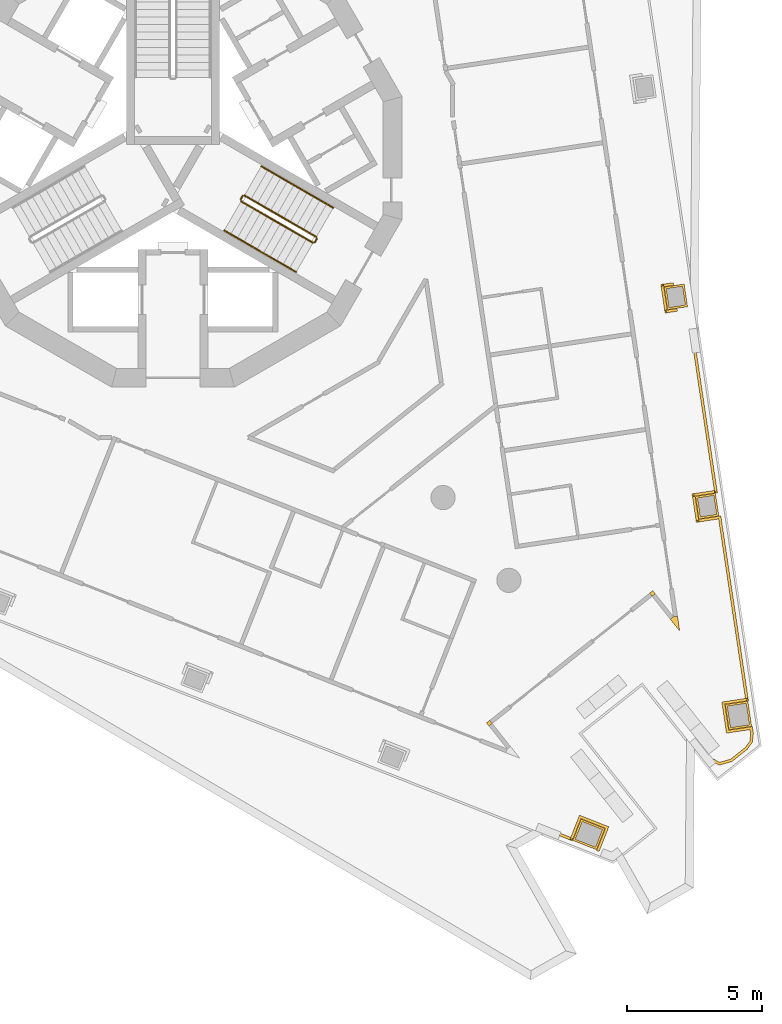
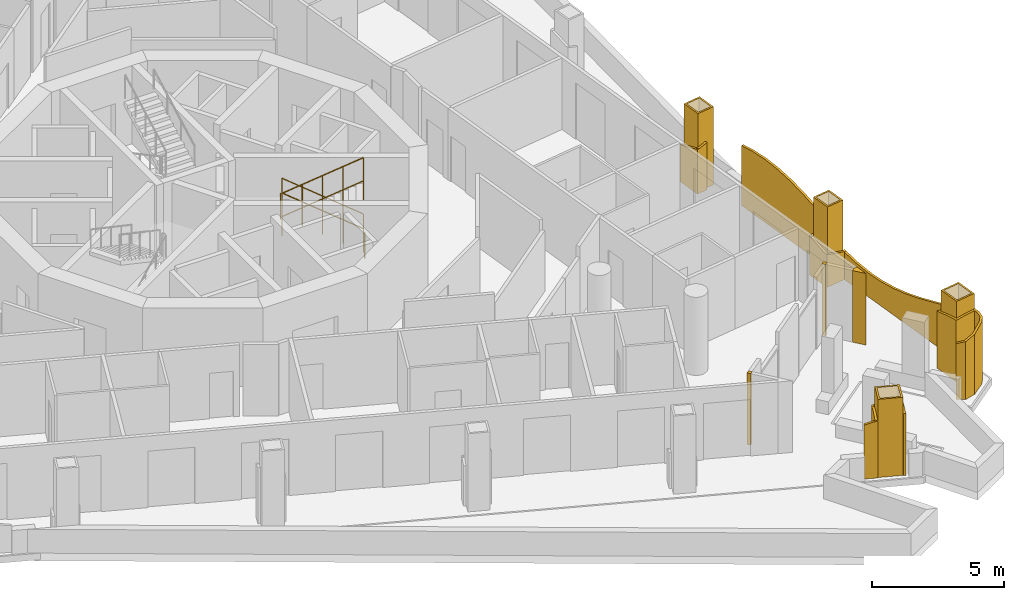
# One storey, part 13 of 16: 11 railings, 7 coverings.
"""IFC4 building model written with IfcOpenShell, lengths in metres."""

from ifc_helpers import new_model, si_unit, direction, frame, origin, origin_2d, place, context, subcontext, project, spatial, polyline, circle, outline, extrude, material, layer, layer_set, type_object, element, save


model = new_model("IFC4")

# Units and contexts
model_context = context("Model", 3, precision=1e-05, world=origin(), true_north=direction((0.0, 1.0)))
body_context = subcontext(model_context, "Body", "Model", "MODEL_VIEW")
ifc_project = project(units=[si_unit("LENGTHUNIT", "METRE"), si_unit("AREAUNIT", "SQUARE_METRE"), si_unit("VOLUMEUNIT", "CUBIC_METRE"), si_unit("PLANEANGLEUNIT", "RADIAN"), si_unit("MASSUNIT", "GRAM", prefix="KILO")], contexts=[model_context])

# Site, building, storey
site_placement = place(None, origin())
site = spatial("IfcSite", under=ifc_project, at=site_placement, CompositionType="ELEMENT")
building_placement = place(site_placement, origin())
building = spatial("IfcBuilding", under=site, at=building_placement, Name="Trine Commons Tower", CompositionType="ELEMENT")
storey_placement = place(building_placement, frame((0.0, 0.0, 198.0)))
storey = spatial("IfcBuildingStorey", under=building, at=storey_placement, Name="L51", CompositionType="ELEMENT", Elevation=198.0)

# Coverings
ifc_material_1 = material(Name="Aluminium-framed insulated wall panel", Category="aluminium")
ifc_layer_1 = layer(ifc_material_1, 0.14990234375)
ifc_layer_set_1 = layer_set([ifc_layer_1], Name="Aluminium-framed insulated wall panel")
covering_type_1 = type_object("IfcCoveringType", Name="Glazing corner post, aluminium", PredefinedType="CLADDING", material=ifc_layer_set_1)
covering_1_placement = place(storey_placement, origin())
element("IfcCovering", 1, at=covering_1_placement, inside=storey, type_object=covering_type_1, Name="Glazing corner post 6-06", PredefinedType="CLADDING", context=body_context, shape_type="SweptSolid", body=[
    extrude(outline(polyline([(98.4521484375, 45.390625), (98.800537109375, 44.95263671875), (98.718017578125, 45.506103515625), (98.569580078125, 45.484130859375), (98.4521484375, 45.390625)])), origin(), (0.0, 0.0, 1.0), 3.300048828125),
])
covering_2_placement = place(storey_placement, origin())
element("IfcCovering", 2, at=covering_2_placement, inside=storey, type_object=covering_type_1, Name="Glazing corner post 6-07", PredefinedType="CLADDING", context=body_context, shape_type="SweptSolid", body=[
    extrude(outline(polyline([(97.682861328125, 46.35791015625), (97.7763671875, 46.240478515625), (97.7763671875, 46.240478515625), (97.893798828125, 46.333740234375), (97.80029296875, 46.451171875), (97.80029296875, 46.451171875), (97.682861328125, 46.35791015625)])), origin(), (0.0, 0.0, 1.0), 3.300048828125),
])
covering_3_placement = place(storey_placement, origin())
element("IfcCovering", 3, at=covering_3_placement, inside=storey, type_object=covering_type_1, Name="Glazing corner post 6-08", PredefinedType="CLADDING", context=body_context, shape_type="SweptSolid", body=[
    extrude(outline(polyline([(91.726806640625, 41.42822265625), (91.843994140625, 41.521728515625), (91.750732421875, 41.63916015625), (91.63330078125, 41.545654296875), (91.726806640625, 41.42822265625)])), origin(), (0.0, 0.0, 1.0), 3.300048828125),
])
ifc_material_2 = material(Name="Limestone, honed", Category="masonry")
ifc_layer_2 = layer(ifc_material_2, 0.074951171875)
ifc_layer_set_2 = layer_set([ifc_layer_2], Name="Limestone, honed")
covering_type_2 = type_object("IfcCoveringType", Name="Limestone column cladding 75", PredefinedType="CLADDING", material=ifc_layer_set_2)
covering_4_placement = place(storey_placement, origin())
element("IfcCovering", 4, at=covering_4_placement, inside=storey, type_object=covering_type_2, Name="Limestone pier cladding 6-01", PredefinedType="CLADDING", context=body_context, shape_type="SweptSolid", body=[
    extrude(outline(polyline([(95.143310546875, 37.978271484375), (94.831787109375, 37.1875), (95.715576171875, 36.839111328125), (96.027099609375, 37.6298828125), (95.143310546875, 37.978271484375)]), holes=[polyline([(95.185546875, 37.880859375), (94.928955078125, 37.229736328125), (95.67333984375, 36.9365234375), (95.9296875, 37.587646484375), (95.185546875, 37.880859375)])]), origin(), (0.0, 0.0, 1.0), 3.60009765625),
])
covering_5_placement = place(storey_placement, origin())
element("IfcCovering", 5, at=covering_5_placement, inside=storey, type_object=covering_type_2, Name="Limestone pier cladding 6-19", PredefinedType="CLADDING", context=body_context, shape_type="SweptSolid", body=[
    extrude(outline(polyline([(98.964599609375, 57.826171875), (98.222900390625, 57.71533203125), (98.348388671875, 56.87451171875), (99.090087890625, 56.985595703125), (98.964599609375, 57.826171875)]), holes=[polyline([(98.901611328125, 57.740966796875), (98.30810546875, 57.652099609375), (98.41162109375, 56.9599609375), (99.0048828125, 57.048583984375), (98.901611328125, 57.740966796875)])]), origin(), (0.0, 0.0, 1.0), 3.60009765625),
])
covering_6_placement = place(storey_placement, origin())
element("IfcCovering", 6, at=covering_6_placement, inside=storey, type_object=covering_type_2, Name="Limestone pier cladding 6-20", PredefinedType="CLADDING", context=body_context, shape_type="SweptSolid", body=[
    extrude(outline(polyline([(100.125, 50.06201171875), (99.38330078125, 49.950927734375), (99.5087890625, 49.1103515625), (100.25048828125, 49.22119140625), (100.125, 50.06201171875)]), holes=[polyline([(100.06201171875, 49.9765625), (99.468505859375, 49.887939453125), (99.572021484375, 49.195556640625), (100.165283203125, 49.2841796875), (100.06201171875, 49.9765625)])]), origin(), (0.0, 0.0, 1.0), 3.60009765625),
])
covering_7_placement = place(storey_placement, origin())
element("IfcCovering", 7, at=covering_7_placement, inside=storey, type_object=covering_type_2, Name="Limestone pier cladding 6-21", PredefinedType="CLADDING", context=body_context, shape_type="SweptSolid", body=[
    extrude(outline(polyline([(101.327392578125, 42.354248046875), (100.48681640625, 42.228759765625), (100.627197265625, 41.2890625), (101.4677734375, 41.414794921875), (101.327392578125, 42.354248046875)]), holes=[polyline([(101.264404296875, 42.26904296875), (100.572021484375, 42.16552734375), (100.690185546875, 41.37451171875), (101.382568359375, 41.477783203125), (101.264404296875, 42.26904296875)])]), origin(), (0.0, 0.0, 1.0), 3.60009765625),
])

# Railings
ifc_material_3 = material(Name="Stainless steel balustrade", Category="steel")
railing_type_1 = type_object("IfcRailingType", Name="Stair guard, steel balustrade 1100", PredefinedType="GUARDRAIL", material=ifc_material_3)
railing_1_placement = place(storey_placement, frame((85.31982421875, 59.572998046875, 0.14990234375)))
element("IfcRailing", 8, at=railing_1_placement, inside=storey, type_object=railing_type_1, Name="L51 ST3C stair guard 1", PredefinedType="GUARDRAIL", context=body_context, shape_type="SweptSolid", body=[
    extrude(circle(Radius=0.02392578125, at=origin_2d()), frame((0.0, 0.0, 1.076171875), z_axis=(-0.763379768245, 0.440728498818, 0.472239049384), x_axis=(-0.499992328818, -0.866029832698, 0.0)), (0.0, 0.0, 1.0), 3.494384765625),
    extrude(circle(Radius=0.02099609375, at=origin_2d()), origin(), (0.0, 0.0, 1.0), 1.052001953125),
    extrude(circle(Radius=0.02099609375, at=origin_2d()), frame((-0.6669921875, 0.385009765625, 0.41259765625)), (0.0, 0.0, 1.0), 1.052001953125),
    extrude(circle(Radius=0.02099609375, at=origin_2d()), frame((-1.333740234375, 0.77001953125, 0.8251953125)), (0.0, 0.0, 1.0), 1.052001953125),
    extrude(circle(Radius=0.02099609375, at=origin_2d()), frame((-2.00048828125, 1.155029296875, 1.237548828125)), (0.0, 0.0, 1.0), 1.052001953125),
    extrude(circle(Radius=0.02099609375, at=origin_2d()), frame((-2.66748046875, 1.5400390625, 1.650146484375)), (0.0, 0.0, 1.0), 1.052001953125),
])
railing_2_placement = place(storey_placement, frame((82.584228515625, 61.0947265625, 1.800048828125)))
element("IfcRailing", 9, at=railing_2_placement, inside=storey, type_object=railing_type_1, Name="L51 ST3C stair guard 2", PredefinedType="GUARDRAIL", context=body_context, shape_type="SweptSolid", body=[
    extrude(circle(Radius=0.02392578125, at=origin_2d()), frame((0.0, 0.0, 1.076171875), z_axis=(-0.501036270542, -0.865426285481, 0.0), x_axis=(0.865426285481, -0.501036270542, 0.0)), (0.0, 0.0, 1.0), 0.150146484375),
    extrude(circle(Radius=0.02099609375, at=origin_2d()), origin(), (0.0, 0.0, 1.0), 1.052001953125),
    extrude(circle(Radius=0.02099609375, at=origin_2d()), frame((-0.0751953125, -0.1298828125, 0.0)), (0.0, 0.0, 1.0), 1.052001953125),
])
railing_3_placement = place(storey_placement, frame((82.52734375, 60.896484375, 1.949951171875)))
element("IfcRailing", 10, at=railing_3_placement, inside=storey, type_object=railing_type_1, Name="L51 ST3C stair guard 3", PredefinedType="GUARDRAIL", context=body_context, shape_type="SweptSolid", body=[
    extrude(circle(Radius=0.02392578125, at=origin_2d()), frame((0.0, 0.0, 1.076171875), z_axis=(0.763379768245, -0.440728498818, 0.472239049384), x_axis=(0.499992328818, 0.866029832698, 0.0)), (0.0, 0.0, 1.0), 3.494384765625),
    extrude(circle(Radius=0.02099609375, at=origin_2d()), origin(), (0.0, 0.0, 1.0), 1.052001953125),
    extrude(circle(Radius=0.02099609375, at=origin_2d()), frame((0.6669921875, -0.385009765625, 0.41259765625)), (0.0, 0.0, 1.0), 1.052001953125),
    extrude(circle(Radius=0.02099609375, at=origin_2d()), frame((1.333740234375, -0.77001953125, 0.8251953125)), (0.0, 0.0, 1.0), 1.052001953125),
    extrude(circle(Radius=0.02099609375, at=origin_2d()), frame((2.00048828125, -1.155029296875, 1.237548828125)), (0.0, 0.0, 1.0), 1.052001953125),
    extrude(circle(Radius=0.02099609375, at=origin_2d()), frame((2.66748046875, -1.5400390625, 1.650146484375)), (0.0, 0.0, 1.0), 1.052001953125),
])
railing_4_placement = place(storey_placement, frame((85.338134765625, 59.504638671875, 0.0)))
element("IfcRailing", 11, at=railing_4_placement, inside=storey, type_object=railing_type_1, Name="L51 ST3C stair guard 4", PredefinedType="GUARDRAIL", context=body_context, shape_type="SweptSolid", body=[
    extrude(circle(Radius=0.02392578125, at=origin_2d()), frame((0.0, 0.0, 1.076171875), z_axis=(-0.499816412211, -0.866131372301, 0.0), x_axis=(0.866131372301, -0.499816412211, 0.0)), (0.0, 0.0, 1.0), 0.14990234375),
    extrude(circle(Radius=0.02099609375, at=origin_2d()), origin(), (0.0, 0.0, 1.0), 1.052001953125),
    extrude(circle(Radius=0.02099609375, at=origin_2d()), frame((-0.074951171875, -0.1298828125, 0.0)), (0.0, 0.0, 1.0), 1.052001953125),
])
ifc_material_4 = material(Name="Stainless steel handrail", Category="steel")
railing_type_2 = type_object("IfcRailingType", Name="Stair handrail, steel 900", PredefinedType="HANDRAIL", material=ifc_material_4)
railing_5_placement = place(storey_placement, frame((85.94482421875, 60.655517578125, 0.14990234375)))
element("IfcRailing", 12, at=railing_5_placement, inside=storey, type_object=railing_type_2, Name="L51 ST3C stair handrail 1", PredefinedType="HANDRAIL", context=body_context, shape_type="SweptSolid", body=[
    extrude(circle(Radius=0.02099609375, at=origin_2d()), frame((0.0, 0.0, 0.87890625), z_axis=(-0.763354580307, 0.440713956853, 0.472293333596), x_axis=(-0.499992328818, -0.866029832698, 0.0)), (0.0, 0.0, 1.0), 1.747314453125),
    extrude(circle(Radius=0.01513671875, at=origin_2d()), origin(), (0.0, 0.0, 1.0), 0.85791015625),
    extrude(circle(Radius=0.01513671875, at=origin_2d()), frame((-0.6669921875, 0.385009765625, 0.41259765625)), (0.0, 0.0, 1.0), 0.85791015625),
    extrude(circle(Radius=0.01513671875, at=origin_2d()), frame((-1.333740234375, 0.77001953125, 0.8251953125)), (0.0, 0.0, 1.0), 0.85791015625),
])
railing_6_placement = place(storey_placement, frame((84.611083984375, 61.425537109375, 0.97509765625)))
element("IfcRailing", 13, at=railing_6_placement, inside=storey, type_object=railing_type_2, Name="L51 ST3C stair handrail 2", PredefinedType="HANDRAIL", context=body_context, shape_type="SweptSolid", body=[
    extrude(circle(Radius=0.02099609375, at=origin_2d()), frame((0.0, 0.0, 0.87890625), z_axis=(-0.76340495495, 0.440743040072, 0.472184759798), x_axis=(-0.499992328818, -0.866029832698, 0.0)), (0.0, 0.0, 1.0), 1.7470703125),
    extrude(circle(Radius=0.01513671875, at=origin_2d()), origin(), (0.0, 0.0, 1.0), 0.85791015625),
    extrude(circle(Radius=0.01513671875, at=origin_2d()), frame((-0.6669921875, 0.385009765625, 0.41259765625)), (0.0, 0.0, 1.0), 0.85791015625),
    extrude(circle(Radius=0.01513671875, at=origin_2d()), frame((-1.333740234375, 0.77001953125, 0.824951171875)), (0.0, 0.0, 1.0), 0.85791015625),
])
railing_7_placement = place(storey_placement, frame((81.90234375, 59.81396484375, 1.949951171875)))
element("IfcRailing", 14, at=railing_7_placement, inside=storey, type_object=railing_type_2, Name="L51 ST3C stair handrail 3", PredefinedType="HANDRAIL", context=body_context, shape_type="SweptSolid", body=[
    extrude(circle(Radius=0.02099609375, at=origin_2d()), frame((0.0, 0.0, 0.87890625), z_axis=(0.76340495495, -0.440743040072, 0.472184759798), x_axis=(0.499992328818, 0.866029832698, 0.0)), (0.0, 0.0, 1.0), 1.7470703125),
    extrude(circle(Radius=0.01513671875, at=origin_2d()), origin(), (0.0, 0.0, 1.0), 0.85791015625),
    extrude(circle(Radius=0.01513671875, at=origin_2d()), frame((0.6669921875, -0.385009765625, 0.41259765625)), (0.0, 0.0, 1.0), 0.85791015625),
    extrude(circle(Radius=0.01513671875, at=origin_2d()), frame((1.333740234375, -0.77001953125, 0.824951171875)), (0.0, 0.0, 1.0), 0.85791015625),
])
railing_8_placement = place(storey_placement, frame((83.236083984375, 59.0439453125, 2.77490234375)))
element("IfcRailing", 15, at=railing_8_placement, inside=storey, type_object=railing_type_2, Name="L51 ST3C stair handrail 4", PredefinedType="HANDRAIL", context=body_context, shape_type="SweptSolid", body=[
    extrude(circle(Radius=0.02099609375, at=origin_2d()), frame((0.0, 0.0, 0.87890625), z_axis=(0.763354580307, -0.440713956853, 0.472293333596), x_axis=(0.499992328818, 0.866029832698, 0.0)), (0.0, 0.0, 1.0), 1.747314453125),
    extrude(circle(Radius=0.01513671875, at=origin_2d()), origin(), (0.0, 0.0, 1.0), 0.85791015625),
    extrude(circle(Radius=0.01513671875, at=origin_2d()), frame((0.6669921875, -0.385009765625, 0.41259765625)), (0.0, 0.0, 1.0), 0.85791015625),
    extrude(circle(Radius=0.01513671875, at=origin_2d()), frame((1.333740234375, -0.77001953125, 0.8251953125)), (0.0, 0.0, 1.0), 0.85791015625),
])
ifc_material_5 = material(Name="White powder-coated aluminium", Category="aluminium")
ifc_layer_3 = layer(ifc_material_5, 0.10009765625)
ifc_layer_set_3 = layer_set([ifc_layer_3], Name="White powder-coated aluminium")
railing_type_3 = type_object("IfcRailingType", Name="White balustrade band 100", PredefinedType="GUARDRAIL", material=ifc_layer_set_3)
railing_9_placement = place(storey_placement, origin())
element("IfcRailing", 16, at=railing_9_placement, inside=storey, type_object=railing_type_3, Name="Guard band L51 16", PredefinedType="GUARDRAIL", context=body_context, shape_type="SweptSolid", body=[
    extrude(outline(polyline([(0.0, 0.0), (0.46630859375, 0.0), (0.46630859375, 1.729248046875), (0.0, 1.579345703125), (0.0, 0.0)])), frame((98.572265625, 57.777587890625, 0.0), z_axis=(-0.147649139441, 0.98903980285, 0.0), x_axis=(-0.98903980285, -0.147649139441, 0.0)), (0.0, 0.0, 1.0), 0.10009765625),
    extrude(outline(polyline([(0.0, 0.0), (1.071044921875, 0.0), (1.0712890625, 2.0634765625), (0.53564453125, 1.876953125), (0.0, 1.69580078125), (0.0, 0.0)])), frame((98.19677734375, 57.822998046875, 0.0), z_axis=(-0.989031448863, -0.147705088468, 0.0), x_axis=(0.147705088468, -0.989031448863, 0.0)), (0.0, 0.0, 1.0), 0.10009765625),
    extrude(outline(polyline([(0.0, 0.0), (0.465576171875, 0.0), (0.465576171875, 2.189208984375), (0.0, 2.028076171875), (0.0, 0.0)])), frame((98.24072265625, 56.848388671875, 0.0), z_axis=(0.148391734141, -0.988928659327, 0.0), x_axis=(0.988928659327, 0.148391734141, 0.0)), (0.0, 0.0, 1.0), 0.10009765625),
])
railing_10_placement = place(storey_placement, origin())
element("IfcRailing", 17, at=railing_10_placement, inside=storey, type_object=railing_type_3, Name="Guard band L51 17", PredefinedType="GUARDRAIL", context=body_context, shape_type="SweptSolid", body=[
    extrude(outline(polyline([(0.0, 0.0), (5.269775390625, 0.0), (5.269775390625, 2.0703125), (4.493896484375, 2.3330078125), (3.718017578125, 2.56591796875), (2.9423828125, 2.747802734375), (2.16650390625, 2.86279296875), (1.421630859375, 2.89990234375), (1.390625, 2.89990234375), (0.614990234375, 2.856201171875), (0.0, 2.7607421875), (0.0, 0.0)])), frame((99.4189453125, 55.293701171875, 0.0), z_axis=(-0.989019113794, -0.147787660343, 0.0), x_axis=(0.147787660343, -0.989019113794, 0.0)), (0.0, 0.0, 1.0), 0.10009765625),
    extrude(outline(polyline([(0.0, 0.0), (0.936767578125, 0.0), (0.936767578125, 1.781005859375), (0.468505859375, 1.9423828125), (0.0, 2.105712890625), (0.0, 0.0)])), frame((100.1982421875, 50.082763671875, 0.0), z_axis=(-0.147766954343, 0.98902220764, 0.0), x_axis=(-0.98902220764, -0.147766954343, 0.0)), (0.0, 0.0, 1.0), 0.10009765625),
    extrude(outline(polyline([(0.0, 0.0), (1.072265625, 0.0), (1.072021484375, 1.4755859375), (0.5361328125, 1.6376953125), (0.0, 1.815673828125), (0.0, 0.0)])), frame((99.357177734375, 50.059326171875, 0.0), z_axis=(-0.989023023025, -0.147761496764, 0.0), x_axis=(0.147761496764, -0.989023023025, 0.0)), (0.0, 0.0, 1.0), 0.10009765625),
    extrude(outline(polyline([(0.0, 0.0), (0.9365234375, 0.0), (0.9365234375, 1.27001953125), (0.46826171875, 1.377197265625), (0.0, 1.504638671875), (0.0, 0.0)])), frame((99.4013671875, 49.084228515625, 0.0), z_axis=(0.147805051129, -0.989016514959, 0.0), x_axis=(0.989016514959, 0.147805051129, 0.0)), (0.0, 0.0, 1.0), 0.10009765625),
    extrude(outline(polyline([(0.0, 0.0), (6.9326171875, 0.0), (6.9326171875, 2.394775390625), (6.162353515625, 2.13916015625), (5.39208984375, 1.871337890625), (4.62158203125, 1.61474609375), (3.8515625, 1.392333984375), (3.081298828125, 1.223876953125), (2.310791015625, 1.1240234375), (1.71240234375, 1.10009765625), (1.54052734375, 1.10205078125), (0.770263671875, 1.159423828125), (0.0, 1.291259765625), (0.0, 0.0)])), frame((100.326171875, 49.222900390625, 0.0), z_axis=(-0.989011651405, -0.147837591248, 0.0), x_axis=(0.147837591248, -0.989011651405, 0.0)), (0.0, 0.0, 1.0), 0.10009765625),
    extrude(outline(polyline([(0.0, 0.0), (0.986328125, 0.0), (0.986328125, 2.643798828125), (0.4931640625, 2.512451171875), (0.0, 2.362548828125), (0.0, 0.0)])), frame((101.351318359375, 42.367919921875, 0.0), z_axis=(-0.148001576754, 0.988987124931, 0.0), x_axis=(-0.988987124931, -0.148001576754, 0.0)), (0.0, 0.0, 1.0), 0.10009765625),
    extrude(outline(polyline([(0.0, 0.0), (1.171630859375, 0.0), (1.171630859375, 2.8427734375), (0.585693359375, 2.75), (0.0, 2.61865234375), (0.0, 0.0)])), frame((100.46044921875, 42.336669921875, 0.0), z_axis=(-0.988994359871, -0.147953222821, 0.0), x_axis=(0.147953222821, -0.988994359871, 0.0)), (0.0, 0.0, 1.0), 0.10009765625),
    extrude(outline(polyline([(0.0, 0.0), (0.98681640625, 0.0), (0.98681640625, 2.89990234375), (0.493408203125, 2.880859375), (0.0, 2.82958984375), (0.0, 0.0)])), frame((100.51904296875, 41.262939453125, 0.0), z_axis=(0.14768718634, -0.989034122258, 0.0), x_axis=(0.989034122258, 0.14768718634, 0.0)), (0.0, 0.0, 1.0), 0.10009765625),
    extrude(outline(polyline([(0.0, 0.0), (0.26123046875, 0.0), (0.260986328125, 2.89892578125), (0.140380859375, 2.89990234375), (0.0, 2.898681640625), (0.0, 0.0)])), frame((101.494140625, 41.408935546875, 0.0), z_axis=(-0.989032141262, -0.147700452098, 0.0), x_axis=(0.147700452098, -0.989032141262, 0.0)), (0.0, 0.0, 1.0), 0.10009765625),
    extrude(outline(polyline([(0.0, 0.0), (0.33251953125, 0.0), (0.332275390625, 2.886962890625), (0.0, 2.899169921875), (0.0, 0.0)])), frame((101.53271484375, 41.15234375, 0.0), z_axis=(-0.993584641818, 0.113090934841, 0.0), x_axis=(-0.113090934841, -0.993584641818, 0.0)), (0.0, 0.0, 1.0), 0.10009765625),
    extrude(outline(polyline([(0.0, 0.0), (0.332763671875, 0.0), (0.33251953125, 2.863037109375), (0.0, 2.888671875), (0.0, 0.0)])), frame((101.49560546875, 40.82373046875, 0.0), z_axis=(-0.803596193097, 0.595174897353, 0.0), x_axis=(-0.595174897353, -0.803596193097, 0.0)), (0.0, 0.0, 1.0), 0.10009765625),
    extrude(outline(polyline([(0.0, 0.0), (0.720947265625, 0.0), (0.720947265625, 2.76171875), (0.0, 2.864501953125), (0.0, 0.0)])), frame((101.299072265625, 40.55810546875, 0.0), z_axis=(-0.622462281047, 0.78264979951, 0.0), x_axis=(-0.78264979951, -0.622462281047, 0.0)), (0.0, 0.0, 1.0), 0.10009765625),
    extrude(outline(polyline([(0.0, 0.0), (0.49169921875, 0.0), (0.491455078125, 2.662353515625), (0.0, 2.765869140625), (0.0, 0.0)])), frame((100.73681640625, 40.1103515625, 0.0), z_axis=(-0.2755735507, 0.96127998947, 0.0), x_axis=(-0.96127998947, -0.2755735507, 0.0)), (0.0, 0.0, 1.0), 0.10009765625),
    extrude(outline(polyline([(0.0, 0.0), (0.37255859375, 0.0), (0.372802734375, 2.5771484375), (0.0, 2.67236328125), (0.0, 0.0)])), frame((100.265380859375, 39.97509765625, 0.0), z_axis=(0.484306925254, 0.874898166732, 0.0), x_axis=(-0.874898166732, 0.484306925254, 0.0)), (0.0, 0.0, 1.0), 0.10009765625),
])
railing_11_placement = place(storey_placement, origin())
element("IfcRailing", 18, at=railing_11_placement, inside=storey, type_object=railing_type_3, Name="Guard band L51 18", PredefinedType="GUARDRAIL", context=body_context, shape_type="SweptSolid", body=[
    extrude(outline(polyline([(0.0, 0.0), (0.986572265625, 0.0), (0.98681640625, 2.89794921875), (0.812255859375, 2.89990234375), (0.493408203125, 2.89306640625), (0.0, 2.855712890625), (0.0, 0.0)])), frame((95.71533203125, 36.8115234375, 0.0), z_axis=(0.930426291784, -0.36647907929, 0.0), x_axis=(0.36647907929, 0.930426291784, 0.0)), (0.0, 0.0, 1.0), 0.10009765625),
    extrude(outline(polyline([(0.0, 0.0), (1.17138671875, 0.0), (1.171142578125, 2.679931640625), (0.585693359375, 2.870849609375), (0.0, 2.899658203125), (0.0, 0.0)])), frame((96.133544921875, 37.598876953125, 0.0), z_axis=(0.366426098605, 0.930447158232, 0.0), x_axis=(-0.930447158232, 0.366426098605, 0.0)), (0.0, 0.0, 1.0), 0.10009765625),
    extrude(outline(polyline([(0.0, 0.0), (0.986328125, 0.0), (0.986572265625, 2.610107421875), (0.4931640625, 2.724609375), (0.0, 2.679931640625), (0.0, 0.0)])), frame((95.174560546875, 38.084716796875, 0.0), z_axis=(-0.930393045546, 0.366563474449, 0.0), x_axis=(-0.366563474449, -0.930393045546, 0.0)), (0.0, 0.0, 1.0), 0.10009765625),
    extrude(outline(polyline([(0.0, 0.0), (0.523193359375, 0.0), (0.523193359375, 2.489013671875), (0.0, 2.635498046875), (0.0, 0.0)])), frame((94.813720703125, 37.16748046875, 0.0), z_axis=(0.366720334179, 0.930331229455, 0.0), x_axis=(-0.930331229455, 0.366720334179, 0.0)), (0.0, 0.0, 1.0), 0.10009765625),
])

save(model, "model.ifc")
